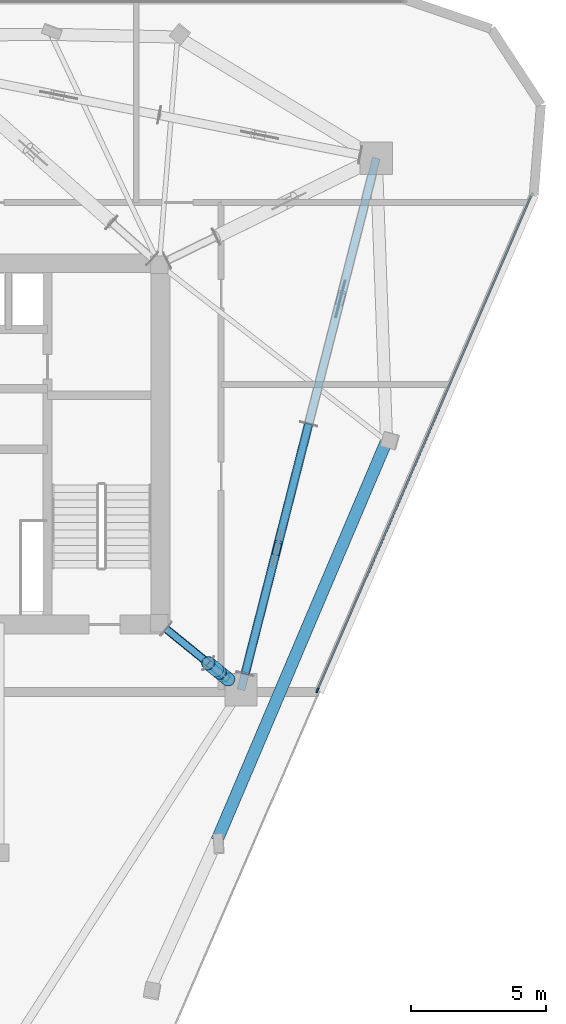
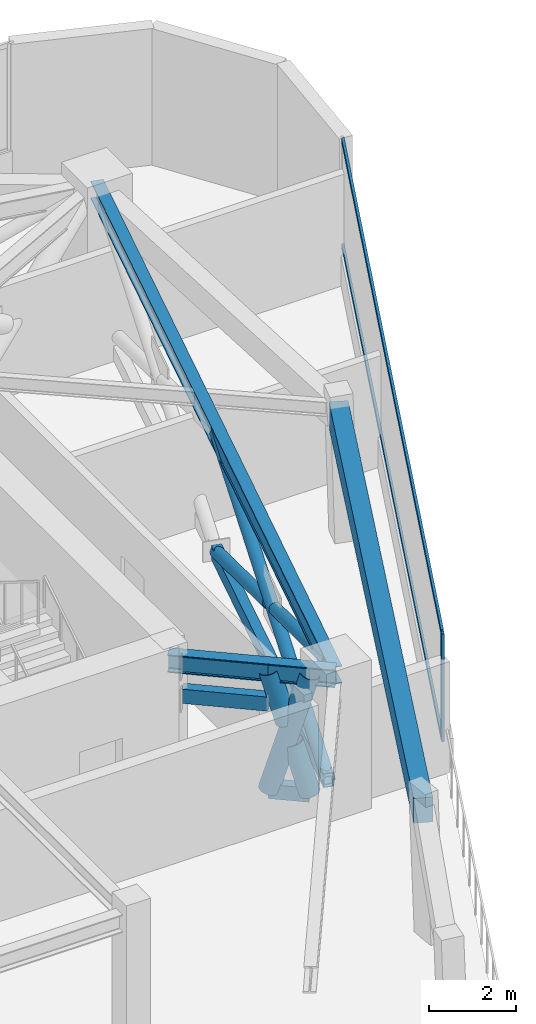
# One storey, part 3 of 10: 15 members, 3 beams, 1 element without a shape of its own.
"""IFC4 building model written with IfcOpenShell, lengths in metres."""

from ifc_helpers import new_model, si_unit, direction, frame, origin, origin_2d, place, context, subcontext, project, spatial, rectangle, hollow_rectangle, hollow_circle, i_section, extrude, material, layer, layer_set, material_profile, profile_set, type_object, element, aggregate, save


model = new_model("IFC4")

# Units and contexts
model_context = context("Model", 3, precision=1e-05, world=origin(), true_north=direction((0.0, 1.0)))
body_context = subcontext(model_context, "Body", "Model", "MODEL_VIEW")
ifc_project = project(units=[si_unit("LENGTHUNIT", "METRE"), si_unit("AREAUNIT", "SQUARE_METRE"), si_unit("VOLUMEUNIT", "CUBIC_METRE"), si_unit("PLANEANGLEUNIT", "RADIAN"), si_unit("MASSUNIT", "GRAM", prefix="KILO")], contexts=[model_context])

# Site, building, storey
site_placement = place(None, origin())
site = spatial("IfcSite", under=ifc_project, at=site_placement, CompositionType="ELEMENT")
building_placement = place(site_placement, origin())
building = spatial("IfcBuilding", under=site, at=building_placement, Name="Talyreon Biosciences Tower", CompositionType="ELEMENT")
storey_placement = place(building_placement, frame((0.0, 0.0, 275.39990234375)))
storey = spatial("IfcBuildingStorey", under=building, at=storey_placement, Name="L73", CompositionType="ELEMENT", Elevation=275.39990234375)

# Members
ifc_material_1 = material(Name="Steel SM355", Category="steel")
ifc_material_profile_1 = material_profile(ifc_material_1, hollow_rectangle(XDim=0.25, YDim=0.39990234375, WallThickness=0.01611328125, at=origin_2d()), Name="RHS 400x250x16")
ifc_profile_set_1 = profile_set([ifc_material_profile_1], Name="Steel SM355")
member_type_1 = type_object("IfcMemberType", Name="BeltChord_RHS400x250", PredefinedType="CHORD", material=ifc_profile_set_1)
for number, where, z_axis, x_axis, name in (
    (1, (74.309814453125, 61.138671875, 3.60009765625), (0.77578405512, -0.63099849431, 0.0), (0.63099849431, 0.77578405512, 0.0), "L73 Outrigger Core Top Tie 2"),
    (2, (74.309814453125, 61.138671875, 2.7001953125), (0.77578405512, -0.63099849431, 0.0), (0.63099849431, 0.77578405512, 0.0), "L73 Outrigger Core Plenum Tie 2"),
):
    element("IfcMember", number, at=place(storey_placement, frame(where, z_axis=z_axis, x_axis=x_axis)), inside=storey, type_object=member_type_1, Name=name, PredefinedType="CHORD", context=body_context, shape_type="SweptSolid", body=[
        extrude(hollow_rectangle(XDim=0.25, YDim=0.39990234375, WallThickness=0.01611328125, at=origin_2d()), origin(), (0.0, 0.0, 1.0), 2.01513671875),
    ])
for number, where, z_axis, x_axis, name in (
    (3, (75.873046875, 59.8671875, 0.239990234375), (0.77582422819, -0.630949100128, 0.0), (0.630949100128, 0.77582422819, 0.0), "L73 Truss Bottom Chord OUT-L73-R2"),
    (4, (75.873046875, 59.8671875, 3.60009765625), (0.77582422819, -0.630949100128, 0.0), (0.630949100128, 0.77582422819, 0.0), "L73 Truss Top Chord OUT-L73-R2"),
):
    element("IfcMember", number, at=place(storey_placement, frame(where, z_axis=z_axis, x_axis=x_axis)), inside=storey, type_object=member_type_1, Name=name, PredefinedType="CHORD", context=body_context, shape_type="SweptSolid", body=[
        extrude(hollow_rectangle(XDim=0.25, YDim=0.39990234375, WallThickness=0.01611328125, at=origin_2d()), origin(), (0.0, 0.0, 1.0), 0.953857421875),
    ])
for number, where, z_axis, x_axis, name in (
    (5, (77.236572265625, 59.4716796875, 0.239990234375), (0.246540216186, 0.969132561522, 0.0), (-0.969132561522, 0.246540216186, 0.0), "L73 Truss Bottom Chord BELT-L73-B2S1"),
    (6, (77.236572265625, 59.4716796875, 3.60009765625), (0.246540216186, 0.969132561522, 0.0), (-0.969132561522, 0.246540216186, 0.0), "L73 Truss Top Chord BELT-L73-B2S1"),
):
    element("IfcMember", number, at=place(storey_placement, frame(where, z_axis=z_axis, x_axis=x_axis)), inside=storey, type_object=member_type_1, Name=name, PredefinedType="CHORD", context=body_context, shape_type="SweptSolid", body=[
        extrude(hollow_rectangle(XDim=0.25, YDim=0.39990234375, WallThickness=0.01611328125, at=origin_2d()), origin(), (0.0, 0.0, 1.0), 9.56298828125),
    ])

# Curtain wall, members
ifc_material_2 = material(Name="Thermally broken aluminium and low-E glazing", Category="aluminium")
ifc_layer = layer(ifc_material_2, 0.175048828125)
ifc_layer_set = layer_set([ifc_layer], Name="Thermally broken aluminium and low-E glazing")
curtain_wall_type = type_object("IfcCurtainWallType", Name="CurtainWall_Zone5CompLab", PredefinedType="NOTDEFINED", material=ifc_layer_set)
curtain_wall_placement = place(storey_placement, origin())
curtain_wall = element("IfcCurtainWall", 7, at=curtain_wall_placement, inside=storey, type_object=curtain_wall_type, Name="L73 Unitised Curtain Wall FCW-L73-07", PredefinedType="NOTDEFINED")
ifc_material_3 = material(Name="Anodised thermally broken aluminium", Category="aluminium")
ifc_material_profile_2 = material_profile(ifc_material_3, rectangle(XDim=0.06494140625, YDim=0.179931640625, at=origin_2d()), Name="ALUM MULLION 65x180")
ifc_profile_set_2 = profile_set([ifc_material_profile_2], Name="Anodised thermally broken aluminium")
member_type_2 = type_object("IfcMemberType", Name="CWMullion_65x180", PredefinedType="MULLION", material=ifc_profile_set_2)
member_1_placement = place(storey_placement, frame((79.92041015625, 58.861572265625, 0.81005859375), z_axis=(0.0, 0.0, 1.0), x_axis=(0.917866750058, -0.39688868608, 0.0)))
member_1 = element("IfcMember", 8, at=member_1_placement, type_object=member_type_2, Name="CW6 mullion 2", PredefinedType="MULLION", context=body_context, shape_type="SweptSolid", body=[
    extrude(rectangle(XDim=0.06494140625, YDim=0.179931640625, at=origin_2d()), origin(), (0.0, 0.0, 1.0), 3.0400390625),
])
ifc_material_profile_3 = material_profile(ifc_material_3, rectangle(XDim=0.06494140625, YDim=0.139892578125, at=origin_2d()), Name="ALUM TRANSOM 65x140")
ifc_profile_set_3 = profile_set([ifc_material_profile_3], Name="Anodised thermally broken aluminium")
member_type_3 = type_object("IfcMemberType", Name="CWTransom_65x140", PredefinedType="USERDEFINED", material=ifc_profile_set_3)
member_2_placement = place(storey_placement, frame((87.846923828125, 77.1923828125, 0.842529296875), z_axis=(-0.396894980277, -0.9178640284, 0.0), x_axis=(0.9178640284, -0.396894980277, 0.0)))
member_2 = element("IfcMember", 9, at=member_2_placement, type_object=member_type_3, Name="CW6 transom 1.1", ObjectType="TRANSOM", PredefinedType="USERDEFINED", context=body_context, shape_type="SweptSolid", body=[
    extrude(rectangle(XDim=0.06494140625, YDim=0.139892578125, at=origin_2d()), origin(), (0.0, 0.0, 1.0), 19.938720703125),
])
member_3_placement = place(storey_placement, frame((87.846923828125, 77.1923828125, 3.817626953125), z_axis=(-0.396894980277, -0.9178640284, 0.0), x_axis=(0.9178640284, -0.396894980277, 0.0)))
member_3 = element("IfcMember", 10, at=member_3_placement, type_object=member_type_3, Name="CW6 transom 1.2", ObjectType="TRANSOM", PredefinedType="USERDEFINED", context=body_context, shape_type="SweptSolid", body=[
    extrude(rectangle(XDim=0.06494140625, YDim=0.139892578125, at=origin_2d()), origin(), (0.0, 0.0, 1.0), 19.938720703125),
])
aggregate(curtain_wall, [member_1, member_2, member_3])

# Beam
ifc_material_4 = material(Name="Precast concrete C45/55", Category="concrete")
ifc_material_profile_4 = material_profile(ifc_material_4, rectangle(XDim=0.449951171875, YDim=0.699951171875, at=origin_2d()), Name="RCB 450x700")
ifc_profile_set_4 = profile_set([ifc_material_profile_4], Name="Precast concrete C45/55")
beam_type_1 = type_object("IfcBeamType", Name="ExpressedSpandrel_450x700", PredefinedType="SPANDREL", material=ifc_profile_set_4)
beam_1_placement = place(storey_placement, frame((76.19189453125, 53.293212890625, 3.5), z_axis=(0.390952688654, 0.920410775271, 0.0), x_axis=(-0.920410775271, 0.390952688654, 0.0)))
element("IfcBeam", 11, at=beam_1_placement, inside=storey, type_object=beam_type_1, Name="L73 Expressed Horizontal Concrete Spandrel 03", PredefinedType="SPANDREL", context=body_context, shape_type="SweptSolid", body=[
    extrude(rectangle(XDim=0.449951171875, YDim=0.699951171875, at=origin_2d()), origin(), (0.0, 0.0, 1.0), 16.091552734375),
])

# Members
ifc_material_profile_5 = material_profile(ifc_material_1, hollow_circle(Radius=0.25390625, WallThickness=0.02001953125, at=origin_2d()), Name="CHS 508x20")
ifc_profile_set_5 = profile_set([ifc_material_profile_5], Name="Steel SM355")
member_type_4 = type_object("IfcMemberType", Name="OutriggerBrace_CHS508", PredefinedType="BRACE", material=ifc_profile_set_5)
member_4_placement = place(storey_placement, frame((75.873046875, 59.8671875, 0.239990234375), z_axis=(0.211857904772, -0.172296184514, 0.961992854957), x_axis=(0.630949100128, 0.77582422819, 0.0)))
element("IfcMember", 12, at=member_4_placement, inside=storey, type_object=member_type_4, Name="L73 Continuous Diagonal OUT-L73-R2A", PredefinedType="BRACE", context=body_context, shape_type="SweptSolid", body=[
    extrude(hollow_circle(Radius=0.25390625, WallThickness=0.02001953125, at=origin_2d()), origin(), (0.0, 0.0, 1.0), 3.492919921875),
])
for number, where, z_axis, x_axis, name in (
    (13, (76.613037109375, 59.265380859375, 0.239990234375), (-0.211940017924, 0.172315725492, 0.961971267529), (-0.630845001454, -0.775908876184, 0.0), "L73 Split Diagonal OUT-L73-R2B-Lower"),
    (14, (76.18359375, 59.614501953125, 2.189453125), (-0.211780999317, 0.172321803689, 0.962005199727), (-0.631143438811, -0.775666139293, 0.0), "L73 Split Diagonal OUT-L73-R2B-Upper"),
):
    element("IfcMember", number, at=place(storey_placement, frame(where, z_axis=z_axis, x_axis=x_axis)), inside=storey, type_object=member_type_4, Name=name, PredefinedType="BRACE", context=body_context, shape_type="SweptSolid", body=[
        extrude(hollow_circle(Radius=0.25390625, WallThickness=0.02001953125, at=origin_2d()), origin(), (0.0, 0.0, 1.0), 1.46630859375),
    ])
ifc_material_profile_6 = material_profile(ifc_material_1, hollow_circle(Radius=0.161865234375, WallThickness=0.012451171875, at=origin_2d()), Name="CHS 323.9x12.5")
ifc_profile_set_6 = profile_set([ifc_material_profile_6], Name="Steel SM355")
member_type_5 = type_object("IfcMemberType", Name="PortalBrace_CHS324", PredefinedType="BRACE", material=ifc_profile_set_6)
member_5_placement = place(storey_placement, frame((77.236572265625, 59.4716796875, 0.239990234375), z_axis=(0.232599864948, 0.914334003655, 0.331497560452), x_axis=(-0.969132561522, 0.246540216186, 0.0)))
element("IfcMember", 15, at=member_5_placement, inside=storey, type_object=member_type_5, Name="L73 Continuous Diagonal BELT-L73-B2S1A", PredefinedType="BRACE", context=body_context, shape_type="SweptSolid", body=[
    extrude(hollow_circle(Radius=0.161865234375, WallThickness=0.012451171875, at=origin_2d()), origin(), (0.0, 0.0, 1.0), 10.13623046875),
])
for number, where, z_axis, x_axis, name in (
    (16, (79.59423828125, 68.739501953125, 0.239990234375), (-0.232608474613, -0.91432160604, 0.33152571283), (0.969129582309, -0.246551926974, 0.0), "L73 Split Diagonal BELT-L73-B2S1B-Lower"),
    (17, (78.350341796875, 63.849609375, 2.012939453125), (-0.232612406405, -0.914337060864, 0.331480327497), (0.969129582309, -0.246551926974, 0.0), "L73 Split Diagonal BELT-L73-B2S1B-Upper"),
):
    element("IfcMember", number, at=place(storey_placement, frame(where, z_axis=z_axis, x_axis=x_axis)), inside=storey, type_object=member_type_5, Name=name, PredefinedType="BRACE", context=body_context, shape_type="SweptSolid", body=[
        extrude(hollow_circle(Radius=0.161865234375, WallThickness=0.012451171875, at=origin_2d()), origin(), (0.0, 0.0, 1.0), 4.7880859375),
    ])

# Beams
ifc_material_profile_7 = material_profile(ifc_material_1, i_section(OverallWidth=0.300048828125, OverallDepth=0.5, WebThickness=0.014404296875, FlangeThickness=0.028076171875, FilletRadius=0.027099609375, at=origin_2d()), Name="HE500B")
ifc_profile_set_7 = profile_set([ifc_material_profile_7], Name="Steel SM355")
beam_type_2 = type_object("IfcBeamType", Name="SteelBeam_HE500B", PredefinedType="BEAM", material=ifc_profile_set_7)
beam_2_placement = place(storey_placement, frame((77.086181640625, 58.88037109375, 3.60009765625), z_axis=(0.246537082299, 0.969133358755, 0.0), x_axis=(-0.969133358755, 0.246537082299, 0.0)))
element("IfcBeam", 18, at=beam_2_placement, inside=storey, type_object=beam_type_2, Name="L73 Mega-Ring Girder 2", PredefinedType="BEAM", context=body_context, shape_type="SweptSolid", body=[
    extrude(i_section(OverallWidth=0.300048828125, OverallDepth=0.5, WebThickness=0.014404296875, FlangeThickness=0.028076171875, FilletRadius=0.027099609375, at=origin_2d()), origin(), (0.0, 0.0, 1.0), 20.34619140625),
])
beam_3_placement = place(storey_placement, frame((74.050048828125, 61.35009765625, 3.60009765625), z_axis=(0.775755154013, -0.631034025249, 0.0), x_axis=(0.631034025249, 0.775755154013, 0.0)))
element("IfcBeam", 19, at=beam_3_placement, inside=storey, type_object=beam_type_2, Name="L73 Radial Primary Girder 2", PredefinedType="BEAM", context=body_context, shape_type="SweptSolid", body=[
    extrude(i_section(OverallWidth=0.300048828125, OverallDepth=0.5, WebThickness=0.014404296875, FlangeThickness=0.028076171875, FilletRadius=0.027099609375, at=origin_2d()), origin(), (0.0, 0.0, 1.0), 3.913818359375),
])

save(model, "model.ifc")
